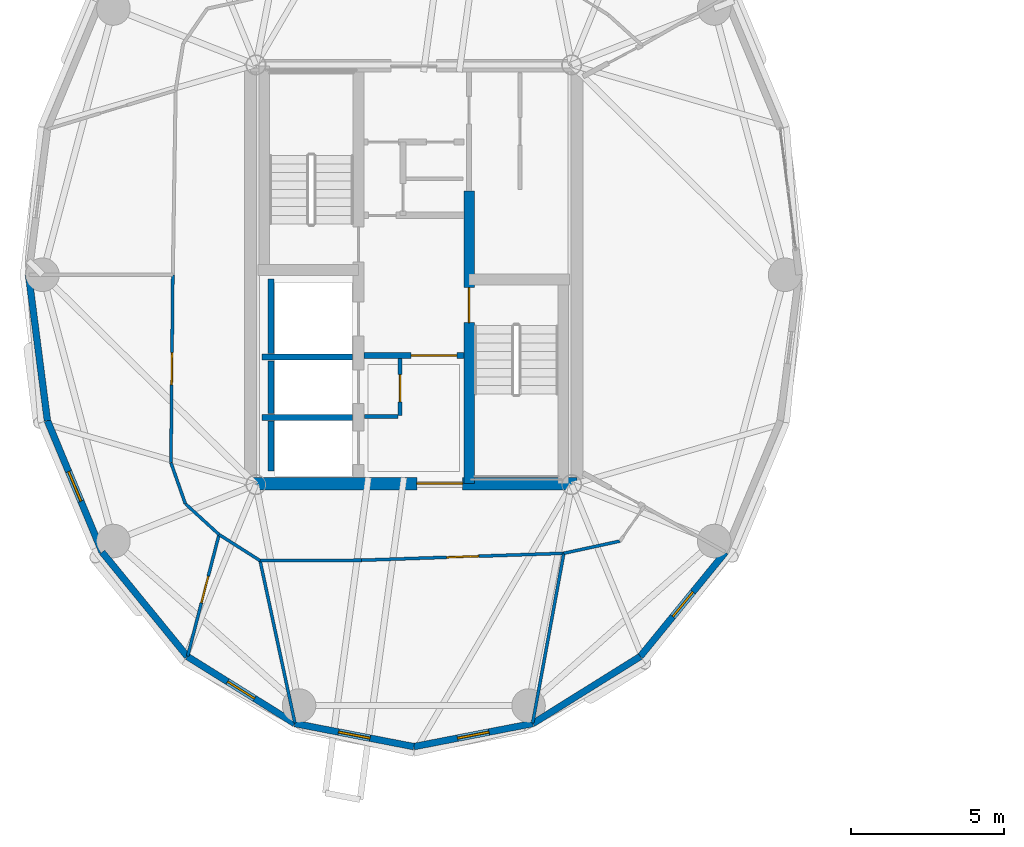
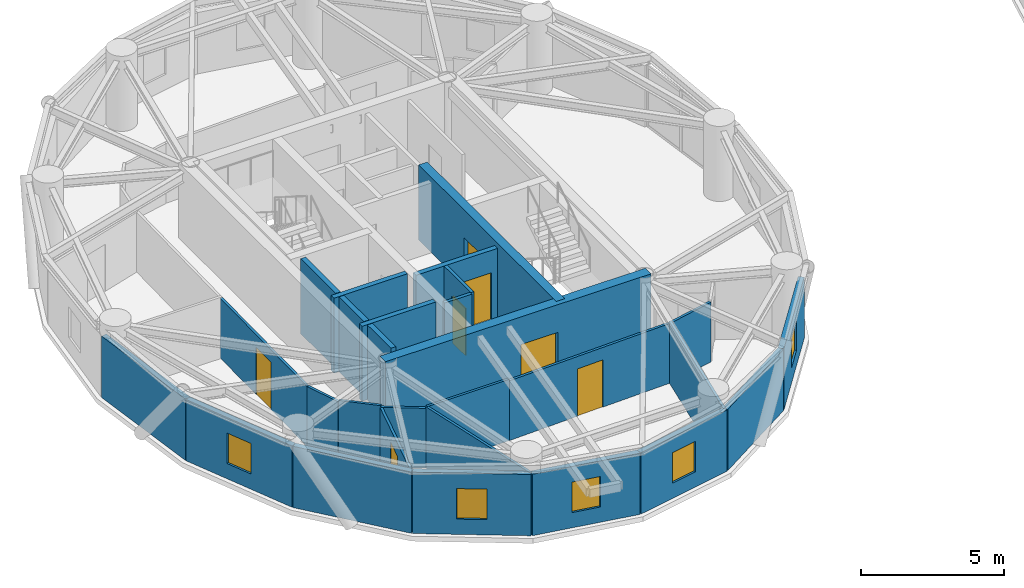
# One storey, part 8 of 15: 28 walls, 7 doors, 5 windows, 12 openings.
"""IFC4 building model written with IfcOpenShell, lengths in metres."""

from ifc_helpers import new_model, si_unit, direction, frame, frame_2d, origin, place, context, subcontext, project, spatial, rectangle, extrude, source, transform, mapped, material, layer, layer_set, type_object, element, fill, save


model = new_model("IFC4")

# Units and contexts
model_context = context("Model", 3, precision=1e-05, world=origin(), true_north=direction((0.0, 1.0)))
body_context = subcontext(model_context, "Body", "Model", "MODEL_VIEW")
ifc_project = project(units=[si_unit("LENGTHUNIT", "METRE"), si_unit("AREAUNIT", "SQUARE_METRE"), si_unit("VOLUMEUNIT", "CUBIC_METRE"), si_unit("PLANEANGLEUNIT", "RADIAN"), si_unit("MASSUNIT", "GRAM", prefix="KILO")], contexts=[model_context])

# Site, building, storey
site_placement = place(None, origin())
site = spatial("IfcSite", under=ifc_project, at=site_placement, CompositionType="ELEMENT")
building_placement = place(site_placement, origin())
building = spatial("IfcBuilding", under=site, at=building_placement, Name="Cununo Teusaquillo Station Towers", CompositionType="ELEMENT")
storey_placement = place(building_placement, frame((0.0, 0.0, 229.25)))
storey = spatial("IfcBuildingStorey", under=building, at=storey_placement, Name="L73", CompositionType="ELEMENT", Elevation=229.25)

# Walls
ifc_material_1 = material(Name="Concrete C50/60", Category="concrete")
ifc_layer_1 = layer(ifc_material_1, 0.199951171875)
ifc_layer_set_1 = layer_set([ifc_layer_1], Name="Concrete C50/60")
wall_type_1 = type_object("IfcWallType", Name="WL-CORE-200", PredefinedType="SHEAR", material=ifc_layer_set_1)
wall_1_placement = place(storey_placement, frame((11.52001953125, 21.800048828125, 0.0), z_axis=(0.0, 0.0, 1.0), x_axis=(1.0, 0.0, 0.0)))
element("IfcWall", 1, at=wall_1_placement, inside=storey, type_object=wall_type_1, Name="L73 Tower A Firefighting Lift Shaft South Shear Wall", PredefinedType="SHEAR", context=body_context, shape_type="SweptSolid", body=[
    extrude(rectangle(XDim=2.969970703125, YDim=0.199951171875, at=frame_2d((1.48486328125, 0.0))), origin(), (0.0, 0.0, 1.0), 3.199951171875),
])
wall_2_placement = place(storey_placement, frame((11.820068359375, 21.919921875, 0.0), z_axis=(0.0, 0.0, 1.0), x_axis=(0.0, 1.0, 0.0)))
element("IfcWall", 2, at=wall_2_placement, inside=storey, type_object=wall_type_1, Name="L73 Tower A Firefighting Lift Shaft Rear Shear Wall", PredefinedType="SHEAR", context=body_context, shape_type="SweptSolid", body=[
    extrude(rectangle(XDim=2.440185546875, YDim=0.199951171875, at=frame_2d((1.22021484375, 0.0))), origin(), (0.0, 0.0, 1.0), 3.199951171875),
])
wall_3_placement = place(storey_placement, frame((11.52001953125, 19.824951171875, 0.0), z_axis=(0.0, 0.0, 1.0), x_axis=(1.0, 0.0, 0.0)))
element("IfcWall", 3, at=wall_3_placement, inside=storey, type_object=wall_type_1, Name="L73 Tower A High-Rise Lift Hoistway Divider Shear Wall", PredefinedType="SHEAR", context=body_context, shape_type="SweptSolid", body=[
    extrude(rectangle(XDim=2.969970703125, YDim=0.199951171875, at=frame_2d((1.48486328125, 0.0))), origin(), (0.0, 0.0, 1.0), 3.199951171875),
])
wall_4_placement = place(storey_placement, frame((11.820068359375, 19.945068359375, 0.0), z_axis=(0.0, 0.0, 1.0), x_axis=(0.0, 1.0, 0.0)))
element("IfcWall", 4, at=wall_4_placement, inside=storey, type_object=wall_type_1, Name="L73 Tower A High-Rise Lift 2 Shaft Rear Shear Wall", PredefinedType="SHEAR", context=body_context, shape_type="SweptSolid", body=[
    extrude(rectangle(XDim=1.73486328125, YDim=0.199951171875, at=frame_2d((0.867431640625, 0.0))), origin(), (0.0, 0.0, 1.0), 3.199951171875),
])
wall_5_placement = place(storey_placement, frame((11.820068359375, 18.070068359375, 0.0), z_axis=(0.0, 0.0, 1.0), x_axis=(0.0, 1.0, 0.0)))
element("IfcWall", 5, at=wall_5_placement, inside=storey, type_object=wall_type_1, Name="L73 Tower A High-Rise Lift 1 Shaft Rear Shear Wall", PredefinedType="SHEAR", context=body_context, shape_type="SweptSolid", body=[
    extrude(rectangle(XDim=1.635009765625, YDim=0.199951171875, at=frame_2d((0.8173828125, 0.0))), origin(), (0.0, 0.0, 1.0), 3.199951171875),
])

# Wall, opening, door
ifc_material_2 = material(Name="Concrete C50/60", Category="concrete")
ifc_layer_2 = layer(ifc_material_2, 0.35009765625)
ifc_layer_set_2 = layer_set([ifc_layer_2], Name="Concrete C50/60")
wall_type_2 = type_object("IfcWallType", Name="WL-CORE-350", PredefinedType="SHEAR", material=ifc_layer_set_2)
wall_6_placement = place(storey_placement, frame((18.31494140625, 17.64990234375, 0.0), z_axis=(0.0, 0.0, 1.0), x_axis=(0.0, 1.0, 0.0)))
wall_6 = element("IfcWall", 6, at=wall_6_placement, inside=storey, type_object=wall_type_2, Name="L73 Tower A Core Shear Wall IE", PredefinedType="SHEAR", context=body_context, shape_type="SweptSolid", body=[
    extrude(rectangle(XDim=9.60009765625, YDim=0.35009765625, at=frame_2d((4.800048828125, 0.0))), origin(), (0.0, 0.0, 1.0), 3.199951171875),
])
shared_shape_1 = source(origin(), body_context, "Body", "SweptSolid", [
    extrude(rectangle(XDim=1.14990234375, YDim=2.02001953125, at=frame_2d((0.574951171875, 1.010009765625))), frame((0.0, 0.18505859375, 0.0), z_axis=(0.0, -1.0, 0.0), x_axis=(1.0, 0.0, 0.0)), (0.0, 0.0, 1.0), 0.3701171875),
])
opening_1_placement = place(wall_6_placement, frame((5.280029296875, 0.0, 0.0)))
opening_1 = element("IfcOpeningElement", 7, at=opening_1_placement, cuts=wall_6, Name="Opening D-ST1", PredefinedType="OPENING", context=body_context, shape_type="MappedRepresentation", body=[
    mapped(shared_shape_1, transform((0.0, 0.0, 0.0), x_axis=(1.0, 0.0, 0.0), y_axis=(0.0, 1.0, 0.0), z_axis=(0.0, 0.0, 1.0), scale=1.0)),
])
ifc_material_3 = material(Name="Galvanised fire-rated hollow steel door assembly", Category="steel")
door_type_1 = type_object("IfcDoorType", Name="DR-STAIR-1150", OperationType="NOTDEFINED", PredefinedType="DOOR", material=ifc_material_3)
shared_shape_2 = source(origin(), body_context, "Body", "SweptSolid", [
    extrude(rectangle(XDim=1.14990234375, YDim=2.02001953125, at=frame_2d((0.574951171875, 1.010009765625))), frame((0.0, 0.02490234375, 0.0), z_axis=(0.0, -1.0, 0.0), x_axis=(1.0, 0.0, 0.0)), (0.0, 0.0, 1.0), 0.050048828125),
])
door_1_placement = place(opening_1_placement, origin())
door_1 = element("IfcDoor", 8, at=door_1_placement, inside=storey, type_object=door_type_1, Name="L73 Tower A Exit Stair 2 Fire Door", OperationType="SINGLE_SWING_LEFT", OverallHeight=2.02001953125, OverallWidth=1.14990234375, PredefinedType="DOOR", context=body_context, shape_type="MappedRepresentation", body=[
    mapped(shared_shape_2, transform((0.0, 0.0, 0.0), x_axis=(1.0, 0.0, 0.0), y_axis=(0.0, 1.0, 0.0), z_axis=(0.0, 0.0, 1.0), scale=1.0)),
])
fill(opening_1, door_1)

ifc_material_4 = material(Name="Concrete C50/60", Category="concrete")
ifc_layer_3 = layer(ifc_material_4, 0.39990234375)
ifc_layer_set_3 = layer_set([ifc_layer_3], Name="Concrete C50/60")
wall_type_3 = type_object("IfcWallType", Name="WL-CORE-400", PredefinedType="SHEAR", material=ifc_layer_set_3)
wall_7_placement = place(storey_placement, frame((11.14990234375, 17.64990234375, 0.0), z_axis=(0.0, 0.0, 1.0), x_axis=(1.0, 0.0, 0.0)))
wall_7 = element("IfcWall", 9, at=wall_7_placement, inside=storey, type_object=wall_type_3, Name="L73 Tower A Core Shear Wall S", PredefinedType="SHEAR", context=body_context, shape_type="SweptSolid", body=[
    extrude(rectangle(XDim=10.7001953125, YDim=0.39990234375, at=frame_2d((5.35009765625, 0.0))), origin(), (0.0, 0.0, 1.0), 3.199951171875),
])
shared_shape_3 = source(origin(), body_context, "Body", "SweptSolid", [
    extrude(rectangle(XDim=1.5, YDim=2.02001953125, at=frame_2d((0.75, 1.010009765625))), frame((0.0, 0.2099609375, 0.0), z_axis=(0.0, -1.0, 0.0), x_axis=(1.0, 0.0, 0.0)), (0.0, 0.0, 1.0), 0.419921875),
])
opening_2_placement = place(wall_7_placement, frame((5.449951171875, 0.0, 0.0)))
opening_2 = element("IfcOpeningElement", 10, at=opening_2_placement, cuts=wall_7, Name="Opening D-LB1", PredefinedType="OPENING", context=body_context, shape_type="MappedRepresentation", body=[
    mapped(shared_shape_3, transform((0.0, 0.0, 0.0), x_axis=(1.0, 0.0, 0.0), y_axis=(0.0, 1.0, 0.0), z_axis=(0.0, 0.0, 1.0), scale=1.0)),
])
ifc_material_5 = material(Name="Galvanised fire-rated hollow steel door assembly", Category="steel")
door_type_2 = type_object("IfcDoorType", Name="DR-LOBBY-1500", OperationType="DOUBLE_DOOR_SINGLE_SWING", PredefinedType="DOOR", material=ifc_material_5)
shared_shape_4 = source(origin(), body_context, "Body", "SweptSolid", [
    extrude(rectangle(XDim=1.5, YDim=2.02001953125, at=frame_2d((0.75, 1.010009765625))), frame((0.0, 0.02490234375, 0.0), z_axis=(0.0, -1.0, 0.0), x_axis=(1.0, 0.0, 0.0)), (0.0, 0.0, 1.0), 0.050048828125),
])
door_2_placement = place(opening_2_placement, origin())
door_2 = element("IfcDoor", 11, at=door_2_placement, inside=storey, type_object=door_type_2, Name="L73 Tower A South Core Lift Lobby Door", OperationType="DOUBLE_DOOR_SINGLE_SWING", OverallHeight=2.02001953125, OverallWidth=1.5, PredefinedType="DOOR", context=body_context, shape_type="MappedRepresentation", body=[
    mapped(shared_shape_4, transform((0.0, 0.0, 0.0), x_axis=(1.0, 0.0, 0.0), y_axis=(0.0, 1.0, 0.0), z_axis=(0.0, 0.0, 1.0), scale=1.0)),
])
fill(opening_2, door_2)

# Wall
ifc_material_6 = material(Name="Precast concrete C40/50", Category="concrete")
ifc_layer_4 = layer(ifc_material_6, 0.219970703125)
ifc_layer_set_4 = layer_set([ifc_layer_4], Name="Precast concrete C40/50")
wall_type_4 = type_object("IfcWallType", Name="WL-EXT-220", PredefinedType="SOLIDWALL", material=ifc_layer_set_4)
wall_8_placement = place(storey_placement, frame((4.48828125, 19.719482421875, 0.0), z_axis=(0.0, 0.0, 1.0), x_axis=(-0.128241318541, 0.991742993027, 0.0)))
element("IfcWall", 12, at=wall_8_placement, inside=storey, type_object=wall_type_4, Name="L73 Tower A Exterior Facade Wall C10", PredefinedType="SOLIDWALL", context=body_context, shape_type="SweptSolid", body=[
    extrude(rectangle(XDim=4.8203125, YDim=0.219970703125, at=frame_2d((2.41015625, 0.0))), origin(), (0.0, 0.0, 1.0), 2.612060546875),
])

# Wall, opening, window
wall_9_placement = place(storey_placement, frame((6.281982421875, 15.406982421875, 0.0), z_axis=(0.0, 0.0, 1.0), x_axis=(-0.384036305194, 0.923317993052, 0.0)))
wall_9 = element("IfcWall", 13, at=wall_9_placement, inside=storey, type_object=wall_type_4, Name="L73 Tower A Exterior Facade Wall C11", PredefinedType="SOLIDWALL", context=body_context, shape_type="SweptSolid", body=[
    extrude(rectangle(XDim=4.670654296875, YDim=0.219970703125, at=frame_2d((2.33544921875, 0.0))), origin(), (0.0, 0.0, 1.0), 2.612060546875),
])
shared_shape_5 = source(origin(), body_context, "Body", "SweptSolid", [
    extrude(rectangle(XDim=1.050048828125, YDim=1.300048828125, at=frame_2d((0.52490234375, 0.64990234375))), frame((0.0, 0.119873046875, 0.0), z_axis=(0.0, -1.0, 0.0), x_axis=(1.0, 0.0, 0.0)), (0.0, 0.0, 1.0), 0.239990234375),
])
opening_3_placement = place(wall_9_placement, frame((1.81005859375, 0.0, 0.64990234375)))
opening_3 = element("IfcOpeningElement", 14, at=opening_3_placement, cuts=wall_9, Name="Opening WN-04", PredefinedType="OPENING", context=body_context, shape_type="MappedRepresentation", body=[
    mapped(shared_shape_5, transform((0.0, 0.0, 0.0), x_axis=(1.0, 0.0, 0.0), y_axis=(0.0, 1.0, 0.0), z_axis=(0.0, 0.0, 1.0), scale=1.0)),
])
ifc_material_7 = material(Name="Operable acoustic tinted low-E double glazing", Category="glass")
window_type = type_object("IfcWindowType", Name="WIN-BAL-1050", PartitioningType="SINGLE_PANEL", PredefinedType="WINDOW", material=ifc_material_7)
shared_shape_6 = source(origin(), body_context, "Body", "SweptSolid", [
    extrude(rectangle(XDim=1.050048828125, YDim=1.300048828125, at=frame_2d((0.52490234375, 0.64990234375))), frame((0.0, 0.030029296875, 0.0), z_axis=(0.0, -1.0, 0.0), x_axis=(1.0, 0.0, 0.0)), (0.0, 0.0, 1.0), 0.06005859375),
])
window_1_placement = place(opening_3_placement, origin())
window_1 = element("IfcWindow", 15, at=window_1_placement, inside=storey, type_object=window_type, Name="L73 Tower A Facade Window C11", OverallHeight=1.300048828125, OverallWidth=1.050048828125, PartitioningType="SINGLE_PANEL", PredefinedType="WINDOW", context=body_context, shape_type="MappedRepresentation", body=[
    mapped(shared_shape_6, transform((0.0, 0.0, 0.0), x_axis=(1.0, 0.0, 0.0), y_axis=(0.0, 1.0, 0.0), z_axis=(0.0, 0.0, 1.0), scale=1.0)),
])
fill(opening_3, window_1)

# Wall
wall_10_placement = place(storey_placement, frame((9.076416015625, 11.984619140625, 0.0), z_axis=(0.0, 0.0, 1.0), x_axis=(-0.632467166636, 0.774587169483, 0.0)))
element("IfcWall", 16, at=wall_10_placement, inside=storey, type_object=wall_type_4, Name="L73 Tower A Exterior Facade Wall C12", PredefinedType="SOLIDWALL", context=body_context, shape_type="SweptSolid", body=[
    extrude(rectangle(XDim=4.418212890625, YDim=0.219970703125, at=frame_2d((2.208984375, 0.0))), origin(), (0.0, 0.0, 1.0), 2.612060546875),
])

# Wall, opening, window
wall_11_placement = place(storey_placement, frame((12.59716796875, 9.787109375, 0.0), z_axis=(0.0, 0.0, 1.0), x_axis=(-0.848318713376, 0.529485939886, 0.0)))
wall_11 = element("IfcWall", 17, at=wall_11_placement, inside=storey, type_object=wall_type_4, Name="L73 Tower A Exterior Facade Wall C13", PredefinedType="SOLIDWALL", context=body_context, shape_type="SweptSolid", body=[
    extrude(rectangle(XDim=4.150390625, YDim=0.219970703125, at=frame_2d((2.0751953125, 0.0))), origin(), (0.0, 0.0, 1.0), 2.612060546875),
])
opening_4_placement = place(wall_11_placement, frame((1.550048828125, 0.0, 0.64990234375)))
opening_4 = element("IfcOpeningElement", 18, at=opening_4_placement, cuts=wall_11, Name="Opening WN-04", PredefinedType="OPENING", context=body_context, shape_type="MappedRepresentation", body=[
    mapped(shared_shape_5, transform((0.0, 0.0, 0.0), x_axis=(1.0, 0.0, 0.0), y_axis=(0.0, 1.0, 0.0), z_axis=(0.0, 0.0, 1.0), scale=1.0)),
])
window_2_placement = place(opening_4_placement, origin())
window_2 = element("IfcWindow", 19, at=window_2_placement, inside=storey, type_object=window_type, Name="L73 Tower A Facade Window C13", OverallHeight=1.300048828125, OverallWidth=1.050048828125, PartitioningType="SINGLE_PANEL", PredefinedType="WINDOW", context=body_context, shape_type="MappedRepresentation", body=[
    mapped(shared_shape_6, transform((0.0, 0.0, 0.0), x_axis=(1.0, 0.0, 0.0), y_axis=(0.0, 1.0, 0.0), z_axis=(0.0, 0.0, 1.0), scale=1.0)),
])
fill(opening_4, window_2)

wall_12_placement = place(storey_placement, frame((16.5, 9.030029296875, 0.0), z_axis=(0.0, 0.0, 1.0), x_axis=(-0.981700307484, 0.190432419211, 0.0)))
wall_12 = element("IfcWall", 20, at=wall_12_placement, inside=storey, type_object=wall_type_4, Name="L73 Tower A Exterior Facade Wall C14", PredefinedType="SOLIDWALL", context=body_context, shape_type="SweptSolid", body=[
    extrude(rectangle(XDim=3.9755859375, YDim=0.219970703125, at=frame_2d((1.98779296875, 0.0))), origin(), (0.0, 0.0, 1.0), 2.612060546875),
])
opening_5_placement = place(wall_12_placement, frame((1.462890625, 0.0, 0.64990234375)))
opening_5 = element("IfcOpeningElement", 21, at=opening_5_placement, cuts=wall_12, Name="Opening WN-04", PredefinedType="OPENING", context=body_context, shape_type="MappedRepresentation", body=[
    mapped(shared_shape_5, transform((0.0, 0.0, 0.0), x_axis=(1.0, 0.0, 0.0), y_axis=(0.0, 1.0, 0.0), z_axis=(0.0, 0.0, 1.0), scale=1.0)),
])
window_3_placement = place(opening_5_placement, origin())
window_3 = element("IfcWindow", 22, at=window_3_placement, inside=storey, type_object=window_type, Name="L73 Tower A Facade Window C14", OverallHeight=1.300048828125, OverallWidth=1.050048828125, PartitioningType="SINGLE_PANEL", PredefinedType="WINDOW", context=body_context, shape_type="MappedRepresentation", body=[
    mapped(shared_shape_6, transform((0.0, 0.0, 0.0), x_axis=(1.0, 0.0, 0.0), y_axis=(0.0, 1.0, 0.0), z_axis=(0.0, 0.0, 1.0), scale=1.0)),
])
fill(opening_5, window_3)

wall_13_placement = place(storey_placement, frame((20.40283203125, 9.787109375, 0.0), z_axis=(0.0, 0.0, 1.0), x_axis=(-0.981700307484, -0.190432419211, 0.0)))
wall_13 = element("IfcWall", 23, at=wall_13_placement, inside=storey, type_object=wall_type_4, Name="L73 Tower A Exterior Facade Wall C15", PredefinedType="SOLIDWALL", context=body_context, shape_type="SweptSolid", body=[
    extrude(rectangle(XDim=3.9755859375, YDim=0.219970703125, at=frame_2d((1.98779296875, 0.0))), origin(), (0.0, 0.0, 1.0), 2.612060546875),
])
opening_6_placement = place(wall_13_placement, frame((1.462890625, 0.0, 0.64990234375)))
opening_6 = element("IfcOpeningElement", 24, at=opening_6_placement, cuts=wall_13, Name="Opening WN-04", PredefinedType="OPENING", context=body_context, shape_type="MappedRepresentation", body=[
    mapped(shared_shape_5, transform((0.0, 0.0, 0.0), x_axis=(1.0, 0.0, 0.0), y_axis=(0.0, 1.0, 0.0), z_axis=(0.0, 0.0, 1.0), scale=1.0)),
])
window_4_placement = place(opening_6_placement, origin())
window_4 = element("IfcWindow", 25, at=window_4_placement, inside=storey, type_object=window_type, Name="L73 Tower A Facade Window C15", OverallHeight=1.300048828125, OverallWidth=1.050048828125, PartitioningType="SINGLE_PANEL", PredefinedType="WINDOW", context=body_context, shape_type="MappedRepresentation", body=[
    mapped(shared_shape_6, transform((0.0, 0.0, 0.0), x_axis=(1.0, 0.0, 0.0), y_axis=(0.0, 1.0, 0.0), z_axis=(0.0, 0.0, 1.0), scale=1.0)),
])
fill(opening_6, window_4)

# Wall
wall_14_placement = place(storey_placement, frame((23.923583984375, 11.984619140625, 0.0), z_axis=(0.0, 0.0, 1.0), x_axis=(-0.848318713376, -0.529485939886, 0.0)))
element("IfcWall", 26, at=wall_14_placement, inside=storey, type_object=wall_type_4, Name="L73 Tower A Exterior Facade Wall C16", PredefinedType="SOLIDWALL", context=body_context, shape_type="SweptSolid", body=[
    extrude(rectangle(XDim=4.150390625, YDim=0.219970703125, at=frame_2d((2.0751953125, 0.0))), origin(), (0.0, 0.0, 1.0), 2.612060546875),
])

# Wall, opening, window
wall_15_placement = place(storey_placement, frame((26.718017578125, 15.406982421875, 0.0), z_axis=(0.0, 0.0, 1.0), x_axis=(-0.632467166636, -0.774587169483, 0.0)))
wall_15 = element("IfcWall", 27, at=wall_15_placement, inside=storey, type_object=wall_type_4, Name="L73 Tower A Exterior Facade Wall C17", PredefinedType="SOLIDWALL", context=body_context, shape_type="SweptSolid", body=[
    extrude(rectangle(XDim=4.418212890625, YDim=0.219970703125, at=frame_2d((2.208984375, 0.0))), origin(), (0.0, 0.0, 1.0), 2.612060546875),
])
opening_7_placement = place(wall_15_placement, frame((1.68408203125, 0.0, 0.64990234375)))
opening_7 = element("IfcOpeningElement", 28, at=opening_7_placement, cuts=wall_15, Name="Opening WN-04", PredefinedType="OPENING", context=body_context, shape_type="MappedRepresentation", body=[
    mapped(shared_shape_5, transform((0.0, 0.0, 0.0), x_axis=(1.0, 0.0, 0.0), y_axis=(0.0, 1.0, 0.0), z_axis=(0.0, 0.0, 1.0), scale=1.0)),
])
window_5_placement = place(opening_7_placement, origin())
window_5 = element("IfcWindow", 29, at=window_5_placement, inside=storey, type_object=window_type, Name="L73 Tower A Facade Window C17", OverallHeight=1.300048828125, OverallWidth=1.050048828125, PartitioningType="SINGLE_PANEL", PredefinedType="WINDOW", context=body_context, shape_type="MappedRepresentation", body=[
    mapped(shared_shape_6, transform((0.0, 0.0, 0.0), x_axis=(1.0, 0.0, 0.0), y_axis=(0.0, 1.0, 0.0), z_axis=(0.0, 0.0, 1.0), scale=1.0)),
])
fill(opening_7, window_5)

# Wall, opening, door
ifc_material_8 = material(Name="Fire-rated gypsum plasterboard partition assembly", Category="gypsum")
ifc_layer_5 = layer(ifc_material_8, 0.10009765625)
ifc_layer_set_5 = layer_set([ifc_layer_5], Name="Fire-rated gypsum plasterboard partition assembly")
wall_type_5 = type_object("IfcWallType", Name="WL-PART-100", PredefinedType="MOVABLE", material=ifc_layer_set_5)
wall_16_placement = place(storey_placement, frame((8.60009765625, 24.5, 0.0), z_axis=(0.0, 0.0, 1.0), x_axis=(-0.010023665349, -0.999949761805, 0.0)))
wall_16 = element("IfcWall", 30, at=wall_16_placement, inside=storey, type_object=wall_type_5, Name="L73 Tower A Corridor Ring Wall C10", PredefinedType="MOVABLE", context=body_context, shape_type="SweptSolid", body=[
    extrude(rectangle(XDim=6.162109375, YDim=0.10009765625, at=frame_2d((3.0810546875, 0.0))), origin(), (0.0, 0.0, 1.0), 2.544921875),
])
shared_shape_7 = source(origin(), body_context, "Body", "SweptSolid", [
    extrude(rectangle(XDim=1.050048828125, YDim=2.014892578125, at=frame_2d((0.52490234375, 1.00732421875))), frame((0.0, 0.06005859375, 0.0), z_axis=(0.0, -1.0, 0.0), x_axis=(1.0, 0.0, 0.0)), (0.0, 0.0, 1.0), 0.1201171875),
])
opening_8_placement = place(wall_16_placement, frame((2.55615234375, 0.0, 0.0)))
opening_8 = element("IfcOpeningElement", 31, at=opening_8_placement, cuts=wall_16, Name="Opening D-SU1", PredefinedType="OPENING", context=body_context, shape_type="MappedRepresentation", body=[
    mapped(shared_shape_7, transform((0.0, 0.0, 0.0), x_axis=(1.0, 0.0, 0.0), y_axis=(0.0, 1.0, 0.0), z_axis=(0.0, 0.0, 1.0), scale=1.0)),
])
ifc_material_9 = material(Name="Acoustic solid-core hardwood leaf assembly", Category="wood")
door_type_3 = type_object("IfcDoorType", Name="DR-SUITE-1050", OperationType="NOTDEFINED", PredefinedType="DOOR", material=ifc_material_9)
shared_shape_8 = source(origin(), body_context, "Body", "SweptSolid", [
    extrude(rectangle(XDim=1.050048828125, YDim=2.014892578125, at=frame_2d((0.52490234375, 1.00732421875))), frame((0.0, 0.02490234375, 0.0), z_axis=(0.0, -1.0, 0.0), x_axis=(1.0, 0.0, 0.0)), (0.0, 0.0, 1.0), 0.050048828125),
])
door_3_placement = place(opening_8_placement, origin())
door_3 = element("IfcDoor", 32, at=door_3_placement, inside=storey, type_object=door_type_3, Name="L73 Tower A Interactive Altitude & Climate Exhibit Entrance Door", OperationType="SINGLE_SWING_RIGHT", OverallHeight=2.014892578125, OverallWidth=1.050048828125, PredefinedType="DOOR", context=body_context, shape_type="MappedRepresentation", body=[
    mapped(shared_shape_8, transform((0.0, 0.0, 0.0), x_axis=(1.0, 0.0, 0.0), y_axis=(0.0, 1.0, 0.0), z_axis=(0.0, 0.0, 1.0), scale=1.0)),
])
fill(opening_8, door_3)

# Walls
wall_17_placement = place(storey_placement, frame((8.538330078125, 18.338134765625, 0.0), z_axis=(0.0, 0.0, 1.0), x_axis=(0.331358150167, -0.94350504838, 0.0)))
element("IfcWall", 33, at=wall_17_placement, inside=storey, type_object=wall_type_5, Name="L73 Tower A Corridor Ring Wall C11", PredefinedType="MOVABLE", context=body_context, shape_type="SweptSolid", body=[
    extrude(rectangle(XDim=1.42431640625, YDim=0.10009765625, at=frame_2d((0.712158203125, 0.0))), origin(), (0.0, 0.0, 1.0), 2.544921875),
])
wall_18_placement = place(storey_placement, frame((9.01025390625, 16.994384765625, 0.0), z_axis=(0.0, 0.0, 1.0), x_axis=(0.737701798986, -0.67512669609, 0.0)))
element("IfcWall", 34, at=wall_18_placement, inside=storey, type_object=wall_type_5, Name="L73 Tower A Corridor Ring Wall C12", PredefinedType="MOVABLE", context=body_context, shape_type="SweptSolid", body=[
    extrude(rectangle(XDim=1.498291015625, YDim=0.10009765625, at=frame_2d((0.7490234375, 0.0))), origin(), (0.0, 0.0, 1.0), 2.612060546875),
])
wall_19_placement = place(storey_placement, frame((10.115478515625, 15.98291015625, 0.0), z_axis=(0.0, 0.0, 1.0), x_axis=(0.843995849351, -0.536349705209, 0.0)))
element("IfcWall", 35, at=wall_19_placement, inside=storey, type_object=wall_type_5, Name="L73 Tower A Corridor Ring Wall C13", PredefinedType="MOVABLE", context=body_context, shape_type="SweptSolid", body=[
    extrude(rectangle(XDim=1.5927734375, YDim=0.10009765625, at=frame_2d((0.79638671875, 0.0))), origin(), (0.0, 0.0, 1.0), 2.544921875),
])
wall_20_placement = place(storey_placement, frame((11.459716796875, 15.128662109375, 0.0), z_axis=(0.0, 0.0, 1.0), x_axis=(0.999993513287, 0.003601858435, 0.0)))
element("IfcWall", 36, at=wall_20_placement, inside=storey, type_object=wall_type_5, Name="L73 Tower A Corridor Ring Wall C14", PredefinedType="MOVABLE", context=body_context, shape_type="SweptSolid", body=[
    extrude(rectangle(XDim=3.3212890625, YDim=0.10009765625, at=frame_2d((1.66064453125, 0.0))), origin(), (0.0, 0.0, 1.0), 2.612060546875),
])

# Wall, opening, door
wall_21_placement = place(storey_placement, frame((14.781005859375, 15.140625, 0.0), z_axis=(0.0, 0.0, 1.0), x_axis=(0.999407918707, 0.034406569513, 0.0)))
wall_21 = element("IfcWall", 37, at=wall_21_placement, inside=storey, type_object=wall_type_5, Name="L73 Tower A Corridor Ring Wall C15", PredefinedType="MOVABLE", context=body_context, shape_type="SweptSolid", body=[
    extrude(rectangle(XDim=6.6416015625, YDim=0.10009765625, at=frame_2d((3.32080078125, 0.0))), origin(), (0.0, 0.0, 1.0), 2.544921875),
])
opening_9_placement = place(wall_21_placement, frame((2.7958984375, 0.0, 0.0)))
opening_9 = element("IfcOpeningElement", 38, at=opening_9_placement, cuts=wall_21, Name="Opening D-SU1", PredefinedType="OPENING", context=body_context, shape_type="MappedRepresentation", body=[
    mapped(shared_shape_7, transform((0.0, 0.0, 0.0), x_axis=(1.0, 0.0, 0.0), y_axis=(0.0, 1.0, 0.0), z_axis=(0.0, 0.0, 1.0), scale=1.0)),
])
door_4_placement = place(opening_9_placement, origin())
door_4 = element("IfcDoor", 39, at=door_4_placement, inside=storey, type_object=door_type_3, Name="L73 Tower A Observatory Cafe & Gift Salon Entrance Door", OperationType="SINGLE_SWING_RIGHT", OverallHeight=2.014892578125, OverallWidth=1.050048828125, PredefinedType="DOOR", context=body_context, shape_type="MappedRepresentation", body=[
    mapped(shared_shape_8, transform((0.0, 0.0, 0.0), x_axis=(1.0, 0.0, 0.0), y_axis=(0.0, 1.0, 0.0), z_axis=(0.0, 0.0, 1.0), scale=1.0)),
])
fill(opening_9, door_4)

# Walls
wall_22_placement = place(storey_placement, frame((21.418701171875, 15.369140625, 0.0), z_axis=(0.0, 0.0, 1.0), x_axis=(0.977192701953, 0.212354475464, 0.0)))
element("IfcWall", 40, at=wall_22_placement, inside=storey, type_object=wall_type_5, Name="L73 Tower A Corridor Ring Wall C16", PredefinedType="MOVABLE", context=body_context, shape_type="SweptSolid", body=[
    extrude(rectangle(XDim=1.8876953125, YDim=0.10009765625, at=frame_2d((0.94384765625, 0.0))), origin(), (0.0, 0.0, 1.0), 2.544921875),
])
wall_23_placement = place(storey_placement, frame((11.459716796875, 15.128662109375, 0.0), z_axis=(0.0, 0.0, 1.0), x_axis=(0.210058897642, -0.977688733453, 0.0)))
element("IfcWall", 41, at=wall_23_placement, inside=storey, type_object=wall_type_5, Name="L73 Tower A Radial Suite Partition R04", PredefinedType="MOVABLE", context=body_context, shape_type="SweptSolid", body=[
    extrude(rectangle(XDim=5.444091796875, YDim=0.10009765625, at=frame_2d((2.72216796875, 0.0))), origin(), (0.0, 0.0, 1.0), 2.612060546875),
])
wall_24_placement = place(storey_placement, frame((21.418701171875, 15.369140625, 0.0), z_axis=(0.0, 0.0, 1.0), x_axis=(-0.180685606423, -0.98354090491, 0.0)))
element("IfcWall", 42, at=wall_24_placement, inside=storey, type_object=wall_type_5, Name="L73 Tower A Radial Suite Partition R05", PredefinedType="MOVABLE", context=body_context, shape_type="SweptSolid", body=[
    extrude(rectangle(XDim=5.656005859375, YDim=0.10009765625, at=frame_2d((2.828125, 0.0))), origin(), (0.0, 0.0, 1.0), 2.612060546875),
])

# Wall, opening, door
wall_25_placement = place(storey_placement, frame((10.115478515625, 15.98291015625, 0.0), z_axis=(0.0, 0.0, 1.0), x_axis=(-0.249861860474, -0.968281493513, 0.0)))
wall_25 = element("IfcWall", 43, at=wall_25_placement, inside=storey, type_object=wall_type_5, Name="L73 Tower A Interactive Altitude & Climate Exhibit Suite Subdividing Wall", PredefinedType="MOVABLE", context=body_context, shape_type="SweptSolid", body=[
    extrude(rectangle(XDim=4.112548828125, YDim=0.10009765625, at=frame_2d((2.05615234375, 0.0))), origin(), (0.0, 0.0, 1.0), 2.544921875),
])
shared_shape_9 = source(origin(), body_context, "Body", "SweptSolid", [
    extrude(rectangle(XDim=0.89990234375, YDim=2.0048828125, at=frame_2d((0.449951171875, 1.00244140625))), frame((0.0, 0.06005859375, 0.0), z_axis=(0.0, -1.0, 0.0), x_axis=(1.0, 0.0, 0.0)), (0.0, 0.0, 1.0), 0.1201171875),
])
opening_10_placement = place(wall_25_placement, frame((1.41259765625, 0.0, 0.0)))
opening_10 = element("IfcOpeningElement", 44, at=opening_10_placement, cuts=wall_25, Name="Opening D-IN1", PredefinedType="OPENING", context=body_context, shape_type="MappedRepresentation", body=[
    mapped(shared_shape_9, transform((0.0, 0.0, 0.0), x_axis=(1.0, 0.0, 0.0), y_axis=(0.0, 1.0, 0.0), z_axis=(0.0, 0.0, 1.0), scale=1.0)),
])
ifc_material_10 = material(Name="Acoustic solid-core hardwood leaf assembly", Category="wood")
door_type_4 = type_object("IfcDoorType", Name="DR-INT-900", OperationType="NOTDEFINED", PredefinedType="DOOR", material=ifc_material_10)
shared_shape_10 = source(origin(), body_context, "Body", "SweptSolid", [
    extrude(rectangle(XDim=0.89990234375, YDim=2.0048828125, at=frame_2d((0.449951171875, 1.00244140625))), frame((0.0, 0.02490234375, 0.0), z_axis=(0.0, -1.0, 0.0), x_axis=(1.0, 0.0, 0.0)), (0.0, 0.0, 1.0), 0.050048828125),
])
door_5_placement = place(opening_10_placement, origin())
door_5 = element("IfcDoor", 45, at=door_5_placement, inside=storey, type_object=door_type_4, Name="L73 Tower A Interactive Altitude & Climate Exhibit Suite Connecting Door", OperationType="SINGLE_SWING_LEFT", OverallHeight=2.0048828125, OverallWidth=0.89990234375, PredefinedType="DOOR", context=body_context, shape_type="MappedRepresentation", body=[
    mapped(shared_shape_10, transform((0.0, 0.0, 0.0), x_axis=(1.0, 0.0, 0.0), y_axis=(0.0, 1.0, 0.0), z_axis=(0.0, 0.0, 1.0), scale=1.0)),
])
fill(opening_10, door_5)

ifc_material_11 = material(Name="Fire-rated gypsum plasterboard partition assembly", Category="gypsum")
ifc_layer_6 = layer(ifc_material_11, 0.125)
ifc_layer_set_6 = layer_set([ifc_layer_6], Name="Fire-rated gypsum plasterboard partition assembly")
wall_type_6 = type_object("IfcWallType", Name="WL-PART-125", PredefinedType="PARTITIONING", material=ifc_layer_set_6)
wall_26_placement = place(storey_placement, frame((16.050048828125, 19.8798828125, 0.0), z_axis=(0.0, 0.0, 1.0), x_axis=(0.0, 1.0, 0.0)))
wall_26 = element("IfcWall", 46, at=wall_26_placement, inside=storey, type_object=wall_type_6, Name="L73 Tower A North-West Lobby Store East Wall", PredefinedType="PARTITIONING", context=body_context, shape_type="SweptSolid", body=[
    extrude(rectangle(XDim=1.8701171875, YDim=0.125, at=frame_2d((0.93505859375, 0.0))), origin(), (0.0, 0.0, 1.0), 2.97509765625),
])
shared_shape_11 = source(origin(), body_context, "Body", "SweptSolid", [
    extrude(rectangle(XDim=0.89990234375, YDim=2.0048828125, at=frame_2d((0.449951171875, 1.00244140625))), frame((0.0, 0.072509765625, 0.0), z_axis=(0.0, -1.0, 0.0), x_axis=(1.0, 0.0, 0.0)), (0.0, 0.0, 1.0), 0.14501953125),
])
opening_11_placement = place(wall_26_placement, frame((0.449951171875, 0.0, 0.0)))
opening_11 = element("IfcOpeningElement", 47, at=opening_11_placement, cuts=wall_26, Name="Opening D-SR1", PredefinedType="OPENING", context=body_context, shape_type="MappedRepresentation", body=[
    mapped(shared_shape_11, transform((0.0, 0.0, 0.0), x_axis=(1.0, 0.0, 0.0), y_axis=(0.0, 1.0, 0.0), z_axis=(0.0, 0.0, 1.0), scale=1.0)),
])
ifc_material_12 = material(Name="Galvanised fire-rated hollow steel door assembly", Category="steel")
door_type_5 = type_object("IfcDoorType", Name="DR-STORE-900", OperationType="NOTDEFINED", PredefinedType="DOOR", material=ifc_material_12)
door_6_placement = place(opening_11_placement, origin())
door_6 = element("IfcDoor", 48, at=door_6_placement, inside=storey, type_object=door_type_5, Name="L73 Tower A South Lobby Data Store Door", OperationType="SINGLE_SWING_RIGHT", OverallHeight=2.0048828125, OverallWidth=0.89990234375, PredefinedType="DOOR", context=body_context, shape_type="MappedRepresentation", body=[
    mapped(shared_shape_10, transform((0.0, 0.0, 0.0), x_axis=(1.0, 0.0, 0.0), y_axis=(0.0, 1.0, 0.0), z_axis=(0.0, 0.0, 1.0), scale=1.0)),
])
fill(opening_11, door_6)

# Wall
wall_27_placement = place(storey_placement, frame((14.8798828125, 19.85009765625, 0.0), z_axis=(0.0, 0.0, 1.0), x_axis=(1.0, 0.0, 0.0)))
element("IfcWall", 49, at=wall_27_placement, inside=storey, type_object=wall_type_6, Name="L73 Tower A North-West Lobby Store South Wall", PredefinedType="PARTITIONING", context=body_context, shape_type="SweptSolid", body=[
    extrude(rectangle(XDim=1.10009765625, YDim=0.125, at=frame_2d((0.550048828125, 0.0))), origin(), (0.0, 0.0, 1.0), 2.97509765625),
])

# Wall, opening, door
ifc_material_13 = material(Name="Fire-rated gypsum plasterboard partition assembly", Category="gypsum")
ifc_layer_7 = layer(ifc_material_13, 0.199951171875)
ifc_layer_set_7 = layer_set([ifc_layer_7], Name="Fire-rated gypsum plasterboard partition assembly")
wall_type_7 = type_object("IfcWallType", Name="WL-PART-200", PredefinedType="PARTITIONING", material=ifc_layer_set_7)
wall_28_placement = place(storey_placement, frame((14.860107421875, 21.85009765625, 0.0), z_axis=(0.0, 0.0, 1.0), x_axis=(1.0, 0.0, 0.0)))
wall_28 = element("IfcWall", 50, at=wall_28_placement, inside=storey, type_object=wall_type_7, Name="L73 Tower A Firefighting Lift Lobby South Fire Wall", PredefinedType="PARTITIONING", context=body_context, shape_type="SweptSolid", body=[
    extrude(rectangle(XDim=3.27978515625, YDim=0.199951171875, at=frame_2d((1.639892578125, 0.0))), origin(), (0.0, 0.0, 1.0), 2.97509765625),
])
shared_shape_12 = source(origin(), body_context, "Body", "SweptSolid", [
    extrude(rectangle(XDim=1.5, YDim=2.02001953125, at=frame_2d((0.75, 1.010009765625))), frame((0.0, 0.10986328125, 0.0), z_axis=(0.0, -1.0, 0.0), x_axis=(1.0, 0.0, 0.0)), (0.0, 0.0, 1.0), 0.219970703125),
])
opening_12_placement = place(wall_28_placement, frame((1.550048828125, 0.0, 0.0)))
opening_12 = element("IfcOpeningElement", 51, at=opening_12_placement, cuts=wall_28, Name="Opening D-LB1", PredefinedType="OPENING", context=body_context, shape_type="MappedRepresentation", body=[
    mapped(shared_shape_12, transform((0.0, 0.0, 0.0), x_axis=(1.0, 0.0, 0.0), y_axis=(0.0, 1.0, 0.0), z_axis=(0.0, 0.0, 1.0), scale=1.0)),
])
door_7_placement = place(opening_12_placement, origin())
door_7 = element("IfcDoor", 52, at=door_7_placement, inside=storey, type_object=door_type_2, Name="L73 Tower A Firefighting Lift Lobby South Fire Door", OperationType="DOUBLE_DOOR_SINGLE_SWING", OverallHeight=2.02001953125, OverallWidth=1.5, PredefinedType="DOOR", context=body_context, shape_type="MappedRepresentation", body=[
    mapped(shared_shape_4, transform((0.0, 0.0, 0.0), x_axis=(1.0, 0.0, 0.0), y_axis=(0.0, 1.0, 0.0), z_axis=(0.0, 0.0, 1.0), scale=1.0)),
])
fill(opening_12, door_7)

save(model, "model.ifc")
